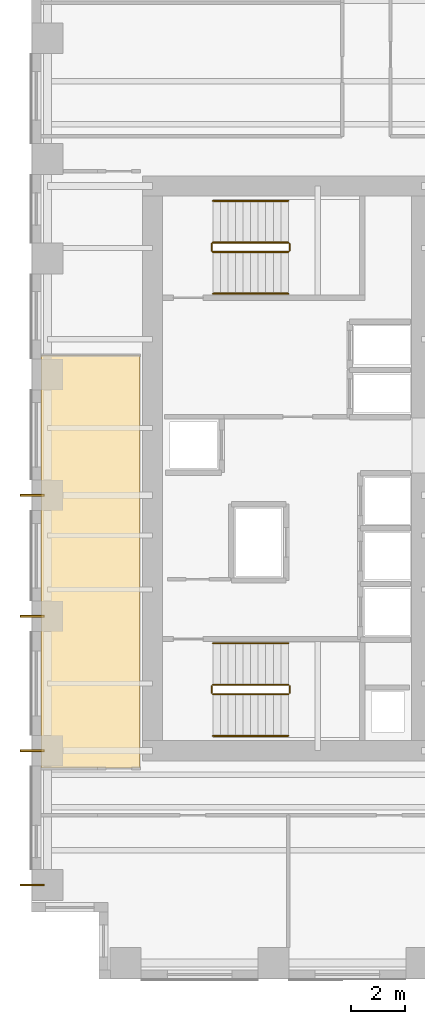
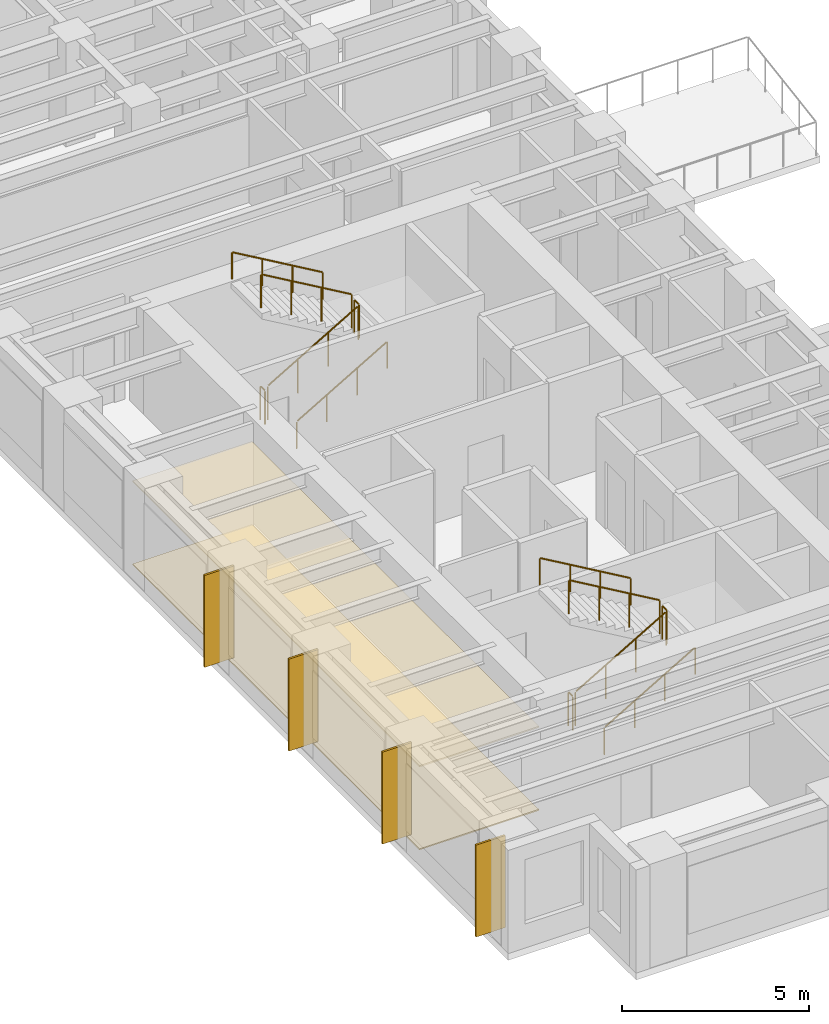
# One storey, part 10 of 11: 12 railings, 6 coverings.
"""IFC4 building model written with IfcOpenShell, lengths in metres."""

from ifc_helpers import new_model, si_unit, direction, frame, origin, origin_2d, place, context, subcontext, project, spatial, polyline, rectangle, circle, outline, extrude, source, transform, mapped, material, layer, layer_set, type_object, element, save


model = new_model("IFC4")

# Units and contexts
model_context = context("Model", 3, precision=1e-05, world=origin(), true_north=direction((0.0, 1.0)))
body_context = subcontext(model_context, "Body", "Model", "MODEL_VIEW")
ifc_project = project(units=[si_unit("LENGTHUNIT", "METRE"), si_unit("AREAUNIT", "SQUARE_METRE"), si_unit("VOLUMEUNIT", "CUBIC_METRE"), si_unit("PLANEANGLEUNIT", "RADIAN"), si_unit("MASSUNIT", "GRAM", prefix="KILO")], contexts=[model_context])

# Site, building, storey
site_placement = place(None, origin())
site = spatial("IfcSite", under=ifc_project, at=site_placement, CompositionType="ELEMENT")
building_placement = place(site_placement, origin())
building = spatial("IfcBuilding", under=site, at=building_placement, Name="Kharzan Plaza Tower", CompositionType="ELEMENT")
storey_placement = place(building_placement, frame((0.0, 0.0, 113.39990234375)))
storey = spatial("IfcBuildingStorey", under=building, at=storey_placement, Name="L30", CompositionType="ELEMENT", Elevation=113.39990234375)

# Coverings
ifc_material_1 = material(Name="Perforated Acoustic Mineral-Fibre Tile", Category="gypsum")
ifc_layer_1 = layer(ifc_material_1, 0.044921875)
ifc_layer_set_1 = layer_set([ifc_layer_1], Name="Perforated Acoustic Mineral-Fibre Tile")
covering_type_1 = type_object("IfcCoveringType", Name="COV-CEIL-ACT", PredefinedType="CEILING", material=ifc_layer_set_1)
covering_1_placement = place(storey_placement, frame((0.0, 0.0, 2.705078125)))
element("IfcCovering", 1, at=covering_1_placement, inside=storey, type_object=covering_type_1, Name="L30 Suspended Acoustic Ceiling RW1", PredefinedType="CEILING", context=body_context, shape_type="SweptSolid", body=[
    extrude(outline(polyline([(0.360107421875, 7.860107421875), (4.0400390625, 7.860107421875), (4.0400390625, 23.18994140625), (0.360107421875, 23.18994140625), (0.360107421875, 7.860107421875)])), origin(), (0.0, 0.0, 1.0), 0.044921875),
])
ifc_material_2 = material(Name="Honed Najran Granite Terrazzo", Category="masonry")
ifc_layer_2 = layer(ifc_material_2, 0.0400390625)
ifc_layer_set_2 = layer_set([ifc_layer_2], Name="Honed Najran Granite Terrazzo")
covering_type_2 = type_object("IfcCoveringType", Name="COV-FLOOR-STN", PredefinedType="FLOORING", material=ifc_layer_set_2)
covering_2_placement = place(storey_placement, origin())
element("IfcCovering", 2, at=covering_2_placement, inside=storey, type_object=covering_type_2, Name="L30 Honed Granite Terrazzo Flooring RW1", PredefinedType="FLOORING", context=body_context, shape_type="SweptSolid", body=[
    extrude(outline(polyline([(0.360107421875, 7.860107421875), (4.0400390625, 7.860107421875), (4.0400390625, 23.18994140625), (0.360107421875, 23.18994140625), (0.360107421875, 7.860107421875)])), origin(), (0.0, 0.0, 1.0), 0.0400390625),
])

# Railings
ifc_material_3 = material(Name="Painted Galvanized Architectural Steel", Category="steel")
ifc_layer_3 = layer(ifc_material_3, 0.074951171875)
ifc_layer_set_3 = layer_set([ifc_layer_3], Name="Painted Galvanized Architectural Steel")
railing_type_1 = type_object("IfcRailingType", Name="RL-GUARD-1120", PredefinedType="BALUSTRADE", material=ifc_layer_set_3)
shared_shape_1 = source(origin(), body_context, "Body", "SweptSolid", [
    extrude(circle(Radius=0.02392578125, at=origin_2d()), frame((0.0, 0.0263671875, 1.09619140625), z_axis=(0.0, 1.0, 0.0), x_axis=(-1.0, 0.0, 0.0)), (0.0, 0.0, 1.0), 0.197021484375),
    extrude(circle(Radius=0.02099609375, at=origin_2d()), origin(), (0.0, 0.0, 1.0), 1.072021484375),
    extrude(circle(Radius=0.02099609375, at=origin_2d()), frame((0.0, 0.25, 0.0)), (0.0, 0.0, 1.0), 1.072021484375),
])
for number, where, name in (
    (3, (9.60009765625, 10.64990234375, 1.800048828125), "L30 ST-1 stair guard 2"),
    (4, (6.699951171875, 10.64990234375, 0.0), "L30 ST-1 stair guard 4"),
    (5, (9.60009765625, 27.10009765625, 1.800048828125), "L30 ST-2 stair guard 2"),
    (6, (6.699951171875, 27.10009765625, 0.0), "L30 ST-2 stair guard 4"),
):
    element("IfcRailing", number, at=place(storey_placement, frame(where)), inside=storey, type_object=railing_type_1, Name=name, PredefinedType="BALUSTRADE", context=body_context, shape_type="MappedRepresentation", body=[
        mapped(shared_shape_1, transform((0.0, 0.0, 0.0), x_axis=(1.0, 0.0, 0.0), y_axis=(0.0, 1.0, 0.0), z_axis=(0.0, 0.0, 1.0))),
    ])

# Coverings
ifc_material_4 = material(Name="Honed Riyadh Limestone", Category="masonry")
ifc_layer_4 = layer(ifc_material_4, 0.06005859375)
ifc_layer_set_4 = layer_set([ifc_layer_4], Name="Honed Riyadh Limestone")
covering_type_3 = type_object("IfcCoveringType", Name="COV-CLAD-STONE", PredefinedType="CLADDING", material=ifc_layer_set_4)
shared_shape_2 = source(origin(), body_context, "Body", "SweptSolid", [
    extrude(rectangle(XDim=0.06005859375, YDim=0.89990234375, at=origin_2d()), origin(), (0.0, 0.0, 1.0), 3.0),
])
for number, where, z_axis, x_axis, name in (
    (7, (0.02001953125, 13.5, 0.10009765625), (0.0, 0.0, 1.0), (0.0, 1.0, 0.0), "L30 Limestone Pier Rainscreen Cladding TCW-135"),
    (8, (0.02001953125, 18.0, 0.10009765625), (0.0, 0.0, 1.0), (0.0, 1.0, 0.0), "L30 Limestone Pier Rainscreen Cladding TCW-180"),
    (9, (0.02001953125, 3.5, 0.10009765625), (0.0, 0.0, 1.0), (0.0, 1.0, 0.0), "L30 Limestone Pier Rainscreen Cladding TCW-35"),
    (10, (0.02001953125, 8.5, 0.10009765625), (0.0, 0.0, 1.0), (0.0, 1.0, 0.0), "L30 Limestone Pier Rainscreen Cladding TCW-85"),
):
    element("IfcCovering", number, at=place(storey_placement, frame(where, z_axis=z_axis, x_axis=x_axis)), inside=storey, type_object=covering_type_3, Name=name, PredefinedType="CLADDING", context=body_context, shape_type="MappedRepresentation", body=[
        mapped(shared_shape_2, transform((0.0, 0.0, 0.0), x_axis=(1.0, 0.0, 0.0), y_axis=(0.0, 1.0, 0.0), z_axis=(0.0, 0.0, 1.0))),
    ])

# Railings
shared_shape_3 = source(origin(), body_context, "Body", "SweptSolid", [
    extrude(circle(Radius=0.02392578125, at=origin_2d()), frame((-0.02294921875, 0.0, 1.109375), z_axis=(-0.863360870873, 0.0, 0.504586966384), x_axis=(0.0, -1.0, 0.0)), (0.0, 0.0, 1.0), 3.190185546875),
    extrude(circle(Radius=0.02099609375, at=origin_2d()), origin(), (0.0, 0.0, 1.0), 1.072021484375),
    extrude(circle(Radius=0.02099609375, at=origin_2d()), frame((-0.933349609375, 0.0, 0.54541015625)), (0.0, 0.0, 1.0), 1.072021484375),
    extrude(circle(Radius=0.02099609375, at=origin_2d()), frame((-1.86669921875, 0.0, 1.091064453125)), (0.0, 0.0, 1.0), 1.072021484375),
    extrude(circle(Radius=0.02099609375, at=origin_2d()), frame((-2.800048828125, 0.0, 1.636474609375)), (0.0, 0.0, 1.0), 1.072021484375),
])
for number, where, name in (
    (11, (9.550048828125, 10.949951171875, 1.963623046875), "L30 ST-1 stair guard 3"),
    (12, (9.550048828125, 27.39990234375, 1.963623046875), "L30 ST-2 stair guard 3"),
):
    element("IfcRailing", number, at=place(storey_placement, frame(where)), inside=storey, type_object=railing_type_1, Name=name, PredefinedType="BALUSTRADE", context=body_context, shape_type="MappedRepresentation", body=[
        mapped(shared_shape_3, transform((0.0, 0.0, 0.0), x_axis=(1.0, 0.0, 0.0), y_axis=(0.0, 1.0, 0.0), z_axis=(0.0, 0.0, 1.0))),
    ])
ifc_material_5 = material(Name="Brushed Stainless Steel", Category="steel")
ifc_layer_5 = layer(ifc_material_5, 0.050048828125)
ifc_layer_set_5 = layer_set([ifc_layer_5], Name="Brushed Stainless Steel")
railing_type_2 = type_object("IfcRailingType", Name="RL-STAIR-HR920", PredefinedType="HANDRAIL", material=ifc_layer_set_5)
shared_shape_4 = source(origin(), body_context, "Body", "SweptSolid", [
    extrude(circle(Radius=0.02392578125, at=origin_2d()), frame((-0.02294921875, 0.0, 0.88916015625), z_axis=(-0.863360870873, 0.0, 0.504586966384), x_axis=(0.0, -1.0, 0.0)), (0.0, 0.0, 1.0), 3.190185546875),
    extrude(circle(Radius=0.02099609375, at=origin_2d()), origin(), (0.0, 0.0, 1.0), 0.851806640625),
    extrude(circle(Radius=0.02099609375, at=origin_2d()), frame((-0.933349609375, 0.0, 0.54541015625)), (0.0, 0.0, 1.0), 0.851806640625),
    extrude(circle(Radius=0.02099609375, at=origin_2d()), frame((-1.86669921875, 0.0, 1.091064453125)), (0.0, 0.0, 1.0), 0.851806640625),
    extrude(circle(Radius=0.02099609375, at=origin_2d()), frame((-2.800048828125, 0.0, 1.636474609375)), (0.0, 0.0, 1.0), 0.851806640625),
])
for number, where, name in (
    (13, (9.550048828125, 12.5, 1.963623046875), "L30 ST-1 stair handrail 2"),
    (14, (9.550048828125, 28.949951171875, 1.963623046875), "L30 ST-2 stair handrail 2"),
):
    element("IfcRailing", number, at=place(storey_placement, frame(where)), inside=storey, type_object=railing_type_2, Name=name, PredefinedType="HANDRAIL", context=body_context, shape_type="MappedRepresentation", body=[
        mapped(shared_shape_4, transform((0.0, 0.0, 0.0), x_axis=(1.0, 0.0, 0.0), y_axis=(0.0, 1.0, 0.0), z_axis=(0.0, 0.0, 1.0))),
    ])
shared_shape_5 = source(origin(), body_context, "Body", "SweptSolid", [
    extrude(circle(Radius=0.02392578125, at=origin_2d()), frame((0.02294921875, 0.0, 1.109375), z_axis=(0.863393664356, 0.0, 0.504530851732), x_axis=(0.0, 1.0, 0.0)), (0.0, 0.0, 1.0), 3.190185546875),
    extrude(circle(Radius=0.02099609375, at=origin_2d()), origin(), (0.0, 0.0, 1.0), 1.072021484375),
    extrude(circle(Radius=0.02099609375, at=origin_2d()), frame((0.933349609375, 0.0, 0.54541015625)), (0.0, 0.0, 1.0), 1.072021484375),
    extrude(circle(Radius=0.02099609375, at=origin_2d()), frame((1.86669921875, 0.0, 1.0908203125)), (0.0, 0.0, 1.0), 1.072021484375),
    extrude(circle(Radius=0.02099609375, at=origin_2d()), frame((2.800048828125, 0.0, 1.63623046875)), (0.0, 0.0, 1.0), 1.072021484375),
])
for number, where, name in (
    (15, (6.75, 10.60009765625, 0.163818359375), "L30 ST-1 stair guard 1"),
    (16, (6.75, 27.050048828125, 0.163818359375), "L30 ST-2 stair guard 1"),
):
    element("IfcRailing", number, at=place(storey_placement, frame(where)), inside=storey, type_object=railing_type_1, Name=name, PredefinedType="BALUSTRADE", context=body_context, shape_type="MappedRepresentation", body=[
        mapped(shared_shape_5, transform((0.0, 0.0, 0.0), x_axis=(1.0, 0.0, 0.0), y_axis=(0.0, 1.0, 0.0), z_axis=(0.0, 0.0, 1.0))),
    ])
shared_shape_6 = source(origin(), body_context, "Body", "SweptSolid", [
    extrude(circle(Radius=0.02392578125, at=origin_2d()), frame((0.02294921875, 0.0, 0.88916015625), z_axis=(0.863393664356, 0.0, 0.504530851732), x_axis=(0.0, 1.0, 0.0)), (0.0, 0.0, 1.0), 3.190185546875),
    extrude(circle(Radius=0.02099609375, at=origin_2d()), origin(), (0.0, 0.0, 1.0), 0.851806640625),
    extrude(circle(Radius=0.02099609375, at=origin_2d()), frame((0.933349609375, 0.0, 0.54541015625)), (0.0, 0.0, 1.0), 0.851806640625),
    extrude(circle(Radius=0.02099609375, at=origin_2d()), frame((1.86669921875, 0.0, 1.0908203125)), (0.0, 0.0, 1.0), 0.851806640625),
    extrude(circle(Radius=0.02099609375, at=origin_2d()), frame((2.800048828125, 0.0, 1.63623046875)), (0.0, 0.0, 1.0), 0.851806640625),
])
for number, where, name in (
    (17, (6.75, 9.050048828125, 0.163818359375), "L30 ST-1 stair handrail 1"),
    (18, (6.75, 25.5, 0.163818359375), "L30 ST-2 stair handrail 1"),
):
    element("IfcRailing", number, at=place(storey_placement, frame(where)), inside=storey, type_object=railing_type_2, Name=name, PredefinedType="HANDRAIL", context=body_context, shape_type="MappedRepresentation", body=[
        mapped(shared_shape_6, transform((0.0, 0.0, 0.0), x_axis=(1.0, 0.0, 0.0), y_axis=(0.0, 1.0, 0.0), z_axis=(0.0, 0.0, 1.0))),
    ])

save(model, "model.ifc")
